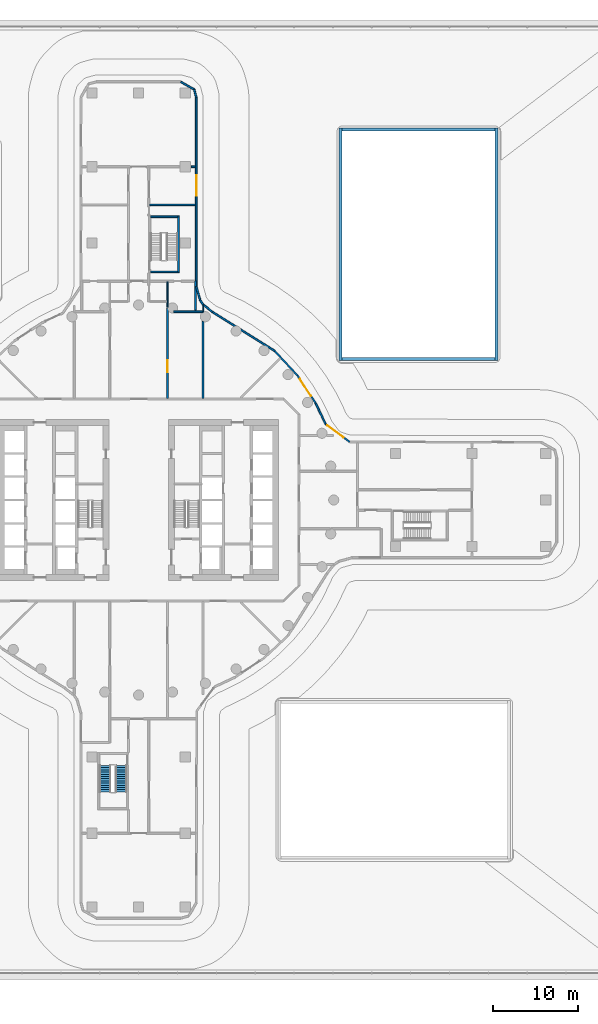
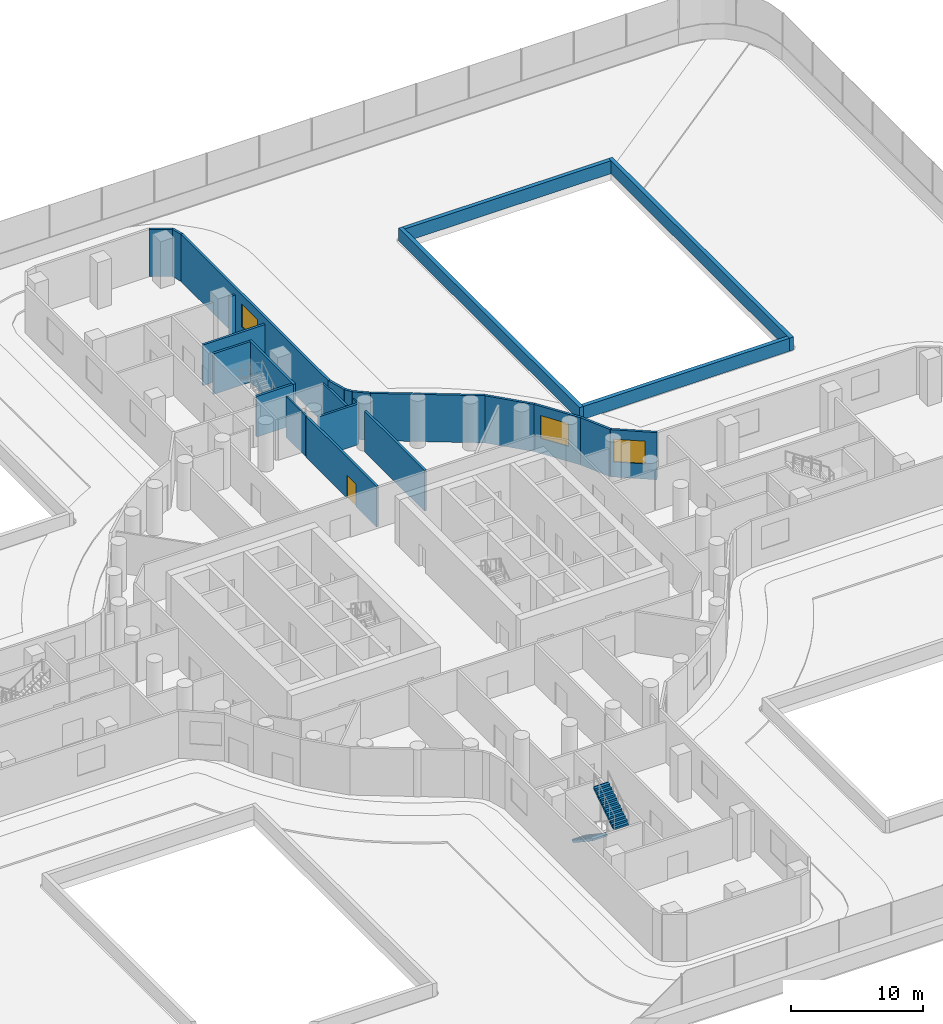
# One storey, part 28 of 37: 26 walls, 3 windows, 2 stair flights, 1 door, 4 openings, 1 element without a shape of its own.
"""IFC4 building model written with IfcOpenShell, lengths in metres."""

from ifc_helpers import new_model, si_unit, direction, frame, frame_2d, origin, place, context, subcontext, project, spatial, polyline, rectangle, outline, extrude, material, layer, layer_set, type_object, element, fill, aggregate, save


model = new_model("IFC4")

# Units and contexts
model_context = context("Model", 3, precision=1e-05, world=origin(), true_north=direction((0.0, 1.0)))
body_context = subcontext(model_context, "Body", "Model", "MODEL_VIEW")
ifc_project = project(units=[si_unit("LENGTHUNIT", "METRE"), si_unit("AREAUNIT", "SQUARE_METRE"), si_unit("VOLUMEUNIT", "CUBIC_METRE"), si_unit("PLANEANGLEUNIT", "RADIAN"), si_unit("MASSUNIT", "GRAM", prefix="KILO")], contexts=[model_context])

# Site, building, storey
site_placement = place(None, origin())
site = spatial("IfcSite", under=ifc_project, at=site_placement, CompositionType="ELEMENT")
building_placement = place(site_placement, origin())
building = spatial("IfcBuilding", under=site, at=building_placement, Name="Tamarind Cross Interchange Tower", CompositionType="ELEMENT")
storey_placement = place(building_placement, frame((0.0, 0.0, 29.5)))
storey = spatial("IfcBuildingStorey", under=building, at=storey_placement, Name="L05", CompositionType="ELEMENT", Elevation=29.5)

# Walls
ifc_material_1 = material(Name="Gypsum board partition on steel studs", Category="steel")
ifc_layer_1 = layer(ifc_material_1, 0.10009765625)
ifc_layer_set_1 = layer_set([ifc_layer_1], Name="Gypsum board partition on steel studs")
wall_type_1 = type_object("IfcWallType", Name="Partition 100 mm EI 90", PredefinedType="PARTITIONING", material=ifc_layer_set_1)
wall_1_placement = place(storey_placement, frame((7.60009765625, 22.151611328125, 0.0), z_axis=(0.0, 0.0, 1.0), x_axis=(0.0, 1.0, 0.0)))
element("IfcWall", 1, at=wall_1_placement, inside=storey, type_object=wall_type_1, Name="Partition L05-075", PredefinedType="PARTITIONING", context=body_context, shape_type="SweptSolid", body=[
    extrude(rectangle(XDim=0.76904296875, YDim=0.10009765625, at=frame_2d((0.384521484375, 0.0))), origin(), (0.0, 0.0, 1.0), 3.760009765625),
])
ifc_layer_2 = layer(ifc_material_1, 0.14990234375)
ifc_layer_set_2 = layer_set([ifc_layer_2], Name="Gypsum board partition on steel studs")
wall_type_2 = type_object("IfcWallType", Name="Partition 150 mm EI 120", PredefinedType="PARTITIONING", material=ifc_layer_set_2)
wall_2_placement = place(storey_placement, frame((3.39990234375, 22.710693359375, 0.0), z_axis=(0.0, 0.0, 1.0), x_axis=(0.0, 1.0, 0.0)))
element("IfcWall", 2, at=wall_2_placement, inside=storey, type_object=wall_type_2, Name="Partition L05-071", PredefinedType="PARTITIONING", context=body_context, shape_type="SweptSolid", body=[
    extrude(rectangle(XDim=3.00439453125, YDim=0.14990234375, at=frame_2d((1.502197265625, 0.0))), origin(), (0.0, 0.0, 1.0), 3.760009765625),
])
ifc_layer_3 = layer(ifc_material_1, 0.199951171875)
ifc_layer_set_3 = layer_set([ifc_layer_3], Name="Gypsum board partition on steel studs")
wall_type_3 = type_object("IfcWallType", Name="Partition 200 mm EI 180", PredefinedType="PARTITIONING", material=ifc_layer_set_3)
wall_3_placement = place(storey_placement, frame((4.126708984375, 22.199951171875, 0.0), z_axis=(0.0, 0.0, 1.0), x_axis=(1.0, 0.0, 0.0)))
element("IfcWall", 3, at=wall_3_placement, inside=storey, type_object=wall_type_3, Name="Partition L05-030", PredefinedType="PARTITIONING", context=body_context, shape_type="SweptSolid", body=[
    extrude(rectangle(XDim=3.443359375, YDim=0.199951171875, at=frame_2d((1.7216796875, 0.0))), origin(), (0.0, 0.0, 1.0), 3.760009765625),
])
wall_4_placement = place(storey_placement, frame((1.284912109375, 34.800048828125, 0.0), z_axis=(0.0, 0.0, 1.0), x_axis=(1.0, 0.0, 0.0)))
element("IfcWall", 4, at=wall_4_placement, inside=storey, type_object=wall_type_3, Name="Partition L05-037", PredefinedType="PARTITIONING", context=body_context, shape_type="SweptSolid", body=[
    extrude(rectangle(XDim=5.4140625, YDim=0.199951171875, at=frame_2d((2.70703125, 0.0))), origin(), (0.0, 0.0, 1.0), 3.760009765625),
])
wall_5_placement = place(storey_placement, frame((6.22998046875, 39.300048828125, 0.0), z_axis=(0.0, 0.0, 1.0), x_axis=(1.0, 0.0, 0.0)))
element("IfcWall", 5, at=wall_5_placement, inside=storey, type_object=wall_type_3, Name="Partition L05-040", PredefinedType="PARTITIONING", context=body_context, shape_type="SweptSolid", body=[
    extrude(rectangle(XDim=0.468994140625, YDim=0.199951171875, at=frame_2d((0.234375, 0.0))), origin(), (0.0, 0.0, 1.0), 3.760009765625),
])

# Wall, opening, door
wall_6_placement = place(storey_placement, frame((3.39990234375, 11.97998046875, 0.0), z_axis=(0.0, 0.0, 1.0), x_axis=(0.0, 1.0, 0.0)))
wall_6 = element("IfcWall", 6, at=wall_6_placement, inside=storey, type_object=wall_type_3, Name="Partition L05-070", PredefinedType="PARTITIONING", context=body_context, shape_type="SweptSolid", body=[
    extrude(rectangle(XDim=10.610595703125, YDim=0.199951171875, at=frame_2d((5.30517578125, 0.0))), origin(), (0.0, 0.0, 1.0), 3.760009765625),
])
opening_1_placement = place(wall_6_placement, frame((3.070068359375, 0.0, 0.0)))
opening_1 = element("IfcOpeningElement", 7, at=opening_1_placement, cuts=wall_6, Name="Opening D33", PredefinedType="OPENING", context=body_context, shape_type="SweptSolid", body=[
    extrude(rectangle(XDim=1.39990234375, YDim=2.10009765625, at=frame_2d((0.699951171875, 1.050048828125))), frame((0.0, 0.10986328125, 0.0), z_axis=(0.0, -1.0, 0.0), x_axis=(1.0, 0.0, 0.0)), (0.0, 0.0, 1.0), 0.219970703125),
])
ifc_material_2 = material(Name="Fire-resisting door set")
door_type = type_object("IfcDoorType", Name="Interior door 1400 x 2100 FD120S", OperationType="DOUBLE_DOOR_SINGLE_SWING", PredefinedType="DOOR", material=ifc_material_2)
door_placement = place(opening_1_placement, frame((1.39990234375, 0.0, 0.0), z_axis=(0.0, 0.0, 1.0), x_axis=(-1.0, 0.0, 0.0)))
door = element("IfcDoor", 8, at=door_placement, inside=storey, type_object=door_type, Name="Door D33", OperationType="DOUBLE_DOOR_SINGLE_SWING", OverallHeight=2.10009765625, OverallWidth=1.39990234375, PredefinedType="DOOR", context=body_context, shape_type="SweptSolid", body=[
    extrude(rectangle(XDim=1.39990234375, YDim=2.10009765625, at=frame_2d((0.699951171875, 1.050048828125))), frame((0.0, 0.02490234375, 0.0), z_axis=(0.0, -1.0, 0.0), x_axis=(1.0, 0.0, 0.0)), (0.0, 0.0, 1.0), 0.050048828125),
])
fill(opening_1, door)

# Walls
wall_7_placement = place(storey_placement, frame((7.60009765625, 11.97998046875, 0.0), z_axis=(0.0, 0.0, 1.0), x_axis=(0.0, 1.0, 0.0)))
element("IfcWall", 9, at=wall_7_placement, inside=storey, type_object=wall_type_3, Name="Partition L05-074", PredefinedType="PARTITIONING", context=body_context, shape_type="SweptSolid", body=[
    extrude(rectangle(XDim=9.09423828125, YDim=0.199951171875, at=frame_2d((4.547119140625, 0.0))), origin(), (0.0, 0.0, 1.0), 3.760009765625),
])
wall_8_placement = place(storey_placement, frame((6.698974609375, 25.800048828125, 0.0), z_axis=(0.0, 0.0, 1.0), x_axis=(0.0, -1.0, 0.0)))
element("IfcWall", 10, at=wall_8_placement, inside=storey, type_object=wall_type_3, Name="Partition L05-083", PredefinedType="PARTITIONING", context=body_context, shape_type="SweptSolid", body=[
    extrude(rectangle(XDim=3.420166015625, YDim=0.199951171875, at=frame_2d((1.7099609375, 0.0))), origin(), (0.0, 0.0, 1.0), 3.760009765625),
])
ifc_material_3 = material(Name="Precast concrete C40", Category="concrete")
ifc_layer_4 = layer(ifc_material_3, 0.35009765625)
ifc_layer_set_4 = layer_set([ifc_layer_4], Name="Precast concrete C40")
wall_type_4 = type_object("IfcWallType", Name="Podium facade wall", PredefinedType="SOLIDWALL", material=ifc_layer_set_4)
for number, where, z_axis, x_axis, name in (
    (11, (24.0, 16.625, 0.0), (0.0, 0.0, 1.0), (1.0, 0.0, 0.0), "CTW-L05-NES00"),
    (12, (24.0, 43.675048828125, 0.0), (0.0, 0.0, 1.0), (1.0, 0.0, 0.0), "CTW-L05-NEN00"),
):
    element("IfcWall", number, at=place(storey_placement, frame(where, z_axis=z_axis, x_axis=x_axis)), inside=storey, type_object=wall_type_4, Name=name, PredefinedType="SOLIDWALL", context=body_context, shape_type="SweptSolid", body=[
        extrude(rectangle(XDim=18.0, YDim=0.35009765625, at=frame_2d((9.0, 0.0))), origin(), (0.0, 0.0, 1.0), 1.199951171875),
    ])
for number, where, z_axis, x_axis, name in (
    (13, (23.824951171875, 16.449951171875, 0.0), (0.0, 0.0, 1.0), (0.0, 1.0, 0.0), "CTW-L05-NEW00"),
    (14, (42.175048828125, 16.449951171875, 0.0), (0.0, 0.0, 1.0), (0.0, 1.0, 0.0), "CTW-L05-NEE00"),
):
    element("IfcWall", number, at=place(storey_placement, frame(where, z_axis=z_axis, x_axis=x_axis)), inside=storey, type_object=wall_type_4, Name=name, PredefinedType="SOLIDWALL", context=body_context, shape_type="SweptSolid", body=[
        extrude(rectangle(XDim=27.400146484375, YDim=0.35009765625, at=frame_2d((13.7001953125, 0.0))), origin(), (0.0, 0.0, 1.0), 1.199951171875),
    ])

# Wall, opening, window
ifc_layer_5 = layer(ifc_material_3, 0.199951171875)
ifc_layer_set_5 = layer_set([ifc_layer_5], Name="Precast concrete C40")
wall_type_5 = type_object("IfcWallType", Name="Refuge level external wall", PredefinedType="SOLIDWALL", material=ifc_layer_set_5)
wall_9_placement = place(storey_placement, frame((24.884765625, 6.844482421875, 0.0), z_axis=(0.0, 0.0, 1.0), x_axis=(-0.804392246617, 0.594098572278, 0.0)))
wall_9 = element("IfcWall", 15, at=wall_9_placement, inside=storey, type_object=wall_type_5, Name="RFW-L05-11-0", PredefinedType="SOLIDWALL", context=body_context, shape_type="SweptSolid", body=[
    extrude(rectangle(XDim=3.54443359375, YDim=0.199951171875, at=frame_2d((1.772216796875, 0.0))), origin(), (0.0, 0.0, 1.0), 4.360107421875),
])
opening_2_placement = place(wall_9_placement, frame((0.89990234375, 0.0, 1.39990234375)))
opening_2 = element("IfcOpeningElement", 16, at=opening_2_placement, cuts=wall_9, Name="Opening W3", PredefinedType="OPENING", context=body_context, shape_type="SweptSolid", body=[
    extrude(rectangle(XDim=2.39990234375, YDim=2.10009765625, at=frame_2d((1.199951171875, 1.050048828125))), frame((0.0, 0.10986328125, 0.0), z_axis=(0.0, -1.0, 0.0), x_axis=(1.0, 0.0, 0.0)), (0.0, 0.0, 1.0), 0.219970703125),
])
ifc_material_4 = material(Name="Aluminium and fire-resisting glass", Category="aluminium")
window_type = type_object("IfcWindowType", Name="Refuge rescue window", PartitioningType="DOUBLE_PANEL_VERTICAL", PredefinedType="WINDOW", material=ifc_material_4)
window_1_placement = place(opening_2_placement, origin())
window_1 = element("IfcWindow", 17, at=window_1_placement, inside=storey, type_object=window_type, Name="RSW-L05-11-01", OverallHeight=2.10009765625, OverallWidth=2.39990234375, PartitioningType="SINGLE_PANEL", PredefinedType="WINDOW", context=body_context, shape_type="SweptSolid", body=[
    extrude(rectangle(XDim=2.39990234375, YDim=2.10009765625, at=frame_2d((1.199951171875, 1.050048828125))), frame((0.0, 0.030029296875, 0.0), z_axis=(0.0, -1.0, 0.0), x_axis=(1.0, 0.0, 0.0)), (0.0, 0.0, 1.0), 0.06005859375),
])
fill(opening_2, window_1)

# Wall
wall_10_placement = place(storey_placement, frame((22.03369140625, 8.9501953125, 0.0), z_axis=(0.0, 0.0, 1.0), x_axis=(-0.424181121769, 0.90557737159, 0.0)))
element("IfcWall", 18, at=wall_10_placement, inside=storey, type_object=wall_type_5, Name="RFW-L05-11-1", PredefinedType="SOLIDWALL", context=body_context, shape_type="SweptSolid", body=[
    extrude(rectangle(XDim=2.722412109375, YDim=0.199951171875, at=frame_2d((1.361328125, 0.0))), origin(), (0.0, 0.0, 1.0), 4.360107421875),
])

# Wall, opening, window
wall_11_placement = place(storey_placement, frame((20.87890625, 11.41552734375, 0.0), z_axis=(0.0, 0.0, 1.0), x_axis=(-0.550579088084, 0.834783006394, 0.0)))
wall_11 = element("IfcWall", 19, at=wall_11_placement, inside=storey, type_object=wall_type_5, Name="RFW-L05-11-2", PredefinedType="SOLIDWALL", context=body_context, shape_type="SweptSolid", body=[
    extrude(rectangle(XDim=3.93017578125, YDim=0.199951171875, at=frame_2d((1.965087890625, 0.0))), origin(), (0.0, 0.0, 1.0), 4.360107421875),
])
opening_3_placement = place(wall_11_placement, frame((1.0, 0.0, 1.39990234375)))
opening_3 = element("IfcOpeningElement", 20, at=opening_3_placement, cuts=wall_11, Name="Opening W3", PredefinedType="OPENING", context=body_context, shape_type="SweptSolid", body=[
    extrude(rectangle(XDim=2.39990234375, YDim=2.10009765625, at=frame_2d((1.199951171875, 1.050048828125))), frame((0.0, 0.10986328125, 0.0), z_axis=(0.0, -1.0, 0.0), x_axis=(1.0, 0.0, 0.0)), (0.0, 0.0, 1.0), 0.219970703125),
])
window_2_placement = place(opening_3_placement, origin())
window_2 = element("IfcWindow", 21, at=window_2_placement, inside=storey, type_object=window_type, Name="RSW-L05-11-21", OverallHeight=2.10009765625, OverallWidth=2.39990234375, PartitioningType="SINGLE_PANEL", PredefinedType="WINDOW", context=body_context, shape_type="SweptSolid", body=[
    extrude(rectangle(XDim=2.39990234375, YDim=2.10009765625, at=frame_2d((1.199951171875, 1.050048828125))), frame((0.0, 0.030029296875, 0.0), z_axis=(0.0, -1.0, 0.0), x_axis=(1.0, 0.0, 0.0)), (0.0, 0.0, 1.0), 0.06005859375),
])
fill(opening_3, window_2)

# Walls
wall_12_placement = place(storey_placement, frame((18.715087890625, 14.6962890625, 0.0), z_axis=(0.0, 0.0, 1.0), x_axis=(-0.680405826691, 0.732835527935, 0.0)))
element("IfcWall", 22, at=wall_12_placement, inside=storey, type_object=wall_type_5, Name="RFW-L05-11-3", PredefinedType="SOLIDWALL", context=body_context, shape_type="SweptSolid", body=[
    extrude(rectangle(XDim=3.93017578125, YDim=0.199951171875, at=frame_2d((1.965087890625, 0.0))), origin(), (0.0, 0.0, 1.0), 4.360107421875),
])
wall_13_placement = place(storey_placement, frame((16.041015625, 17.576416015625, 0.0), z_axis=(0.0, 0.0, 1.0), x_axis=(-0.847351322154, 0.531032707885, 0.0)))
element("IfcWall", 23, at=wall_13_placement, inside=storey, type_object=wall_type_5, Name="RFW-L05-11-4", PredefinedType="SOLIDWALL", context=body_context, shape_type="SweptSolid", body=[
    extrude(rectangle(XDim=8.67919921875, YDim=0.199951171875, at=frame_2d((4.339599609375, 0.0))), origin(), (0.0, 0.0, 1.0), 4.360107421875),
])
wall_14_placement = place(storey_placement, frame((8.686767578125, 22.185302734375, 0.0), z_axis=(0.0, 0.0, 1.0), x_axis=(-0.782754463559, 0.62233065952, 0.0)))
element("IfcWall", 24, at=wall_14_placement, inside=storey, type_object=wall_type_5, Name="RFW-L05-11-5", PredefinedType="SOLIDWALL", context=body_context, shape_type="SweptSolid", body=[
    extrude(rectangle(XDim=1.374267578125, YDim=0.199951171875, at=frame_2d((0.68701171875, 0.0))), origin(), (0.0, 0.0, 1.0), 4.360107421875),
])
wall_15_placement = place(storey_placement, frame((7.611083984375, 23.04052734375, 0.0), z_axis=(0.0, 0.0, 1.0), x_axis=(-0.564082170033, 0.825718659987, 0.0)))
element("IfcWall", 25, at=wall_15_placement, inside=storey, type_object=wall_type_5, Name="RFW-L05-11-6", PredefinedType="SOLIDWALL", context=body_context, shape_type="SweptSolid", body=[
    extrude(rectangle(XDim=0.64013671875, YDim=0.199951171875, at=frame_2d((0.320068359375, 0.0))), origin(), (0.0, 0.0, 1.0), 4.360107421875),
])
wall_16_placement = place(storey_placement, frame((7.25, 23.569091796875, 0.0), z_axis=(0.0, 0.0, 1.0), x_axis=(-0.268802114608, 0.963195423153, 0.0)))
element("IfcWall", 26, at=wall_16_placement, inside=storey, type_object=wall_type_5, Name="RFW-L05-11-7", PredefinedType="SOLIDWALL", context=body_context, shape_type="SweptSolid", body=[
    extrude(rectangle(XDim=1.673828125, YDim=0.199951171875, at=frame_2d((0.8369140625, 0.0))), origin(), (0.0, 0.0, 1.0), 4.360107421875),
])

# Wall, opening, window
wall_17_placement = place(storey_placement, frame((6.800048828125, 25.181396484375, 0.0), z_axis=(0.0, 0.0, 1.0), x_axis=(0.0, 1.0, 0.0)))
wall_17 = element("IfcWall", 27, at=wall_17_placement, inside=storey, type_object=wall_type_5, Name="RFW-L05-12-0", PredefinedType="SOLIDWALL", context=body_context, shape_type="SweptSolid", body=[
    extrude(rectangle(XDim=22.2998046875, YDim=0.199951171875, at=frame_2d((11.14990234375, 0.0))), origin(), (0.0, 0.0, 1.0), 4.360107421875),
])
opening_4_placement = place(wall_17_placement, frame((10.699951171875, 0.0, 1.39990234375)))
opening_4 = element("IfcOpeningElement", 28, at=opening_4_placement, cuts=wall_17, Name="Opening W3", PredefinedType="OPENING", context=body_context, shape_type="SweptSolid", body=[
    extrude(rectangle(XDim=2.39990234375, YDim=2.10009765625, at=frame_2d((1.199951171875, 1.050048828125))), frame((0.0, 0.10986328125, 0.0), z_axis=(0.0, -1.0, 0.0), x_axis=(1.0, 0.0, 0.0)), (0.0, 0.0, 1.0), 0.219970703125),
])
window_3_placement = place(opening_4_placement, origin())
window_3 = element("IfcWindow", 29, at=window_3_placement, inside=storey, type_object=window_type, Name="RSW-L05-12-01", OverallHeight=2.10009765625, OverallWidth=2.39990234375, PartitioningType="SINGLE_PANEL", PredefinedType="WINDOW", context=body_context, shape_type="SweptSolid", body=[
    extrude(rectangle(XDim=2.39990234375, YDim=2.10009765625, at=frame_2d((1.199951171875, 1.050048828125))), frame((0.0, 0.030029296875, 0.0), z_axis=(0.0, -1.0, 0.0), x_axis=(1.0, 0.0, 0.0)), (0.0, 0.0, 1.0), 0.06005859375),
])
fill(opening_4, window_3)

# Walls
wall_18_placement = place(storey_placement, frame((6.800048828125, 47.481201171875, 0.0), z_axis=(0.0, 0.0, 1.0), x_axis=(-0.258855296676, 0.96591611198, 0.0)))
element("IfcWall", 30, at=wall_18_placement, inside=storey, type_object=wall_type_5, Name="RFW-L05-12-1", PredefinedType="SOLIDWALL", context=body_context, shape_type="SweptSolid", body=[
    extrude(rectangle(XDim=0.955322265625, YDim=0.199951171875, at=frame_2d((0.4775390625, 0.0))), origin(), (0.0, 0.0, 1.0), 4.360107421875),
])
wall_19_placement = place(storey_placement, frame((6.552734375, 48.404052734375, 0.0), z_axis=(0.0, 0.0, 1.0), x_axis=(-0.867953965836, 0.496644654848, 0.0)))
element("IfcWall", 31, at=wall_19_placement, inside=storey, type_object=wall_type_5, Name="RFW-L05-12-2", PredefinedType="SOLIDWALL", context=body_context, shape_type="SweptSolid", body=[
    extrude(rectangle(XDim=1.8193359375, YDim=0.199951171875, at=frame_2d((0.90966796875, 0.0))), origin(), (0.0, 0.0, 1.0), 4.360107421875),
])
ifc_material_5 = material(Name="Concrete C40", Category="concrete")
ifc_layer_6 = layer(ifc_material_5, 0.199951171875)
ifc_layer_set_6 = layer_set([ifc_layer_6], Name="Concrete C40")
wall_type_6 = type_object("IfcWallType", Name="Stair shaft wall 200 mm Concrete C40", PredefinedType="SHEAR", material=ifc_layer_set_6)
wall_20_placement = place(storey_placement, frame((4.699951171875, 26.800048828125, 0.0), z_axis=(0.0, 0.0, 1.0), x_axis=(0.0, 1.0, 0.0)))
element("IfcWall", 32, at=wall_20_placement, inside=storey, type_object=wall_type_6, Name="Core wall CWL-L05-ST4-C", PredefinedType="SHEAR", context=body_context, shape_type="SweptSolid", body=[
    extrude(rectangle(XDim=6.699951171875, YDim=0.199951171875, at=frame_2d((3.35009765625, 0.0))), origin(), (0.0, 0.0, 1.0), 3.760009765625),
])
wall_21_placement = place(storey_placement, frame((4.60009765625, 26.89990234375, 0.0), z_axis=(0.0, 0.0, 1.0), x_axis=(-1.0, 0.0, 0.0)))
element("IfcWall", 33, at=wall_21_placement, inside=storey, type_object=wall_type_6, Name="Core wall CWL-L05-ST4-CE", PredefinedType="SHEAR", context=body_context, shape_type="SweptSolid", body=[
    extrude(rectangle(XDim=3.2001953125, YDim=0.199951171875, at=frame_2d((1.60009765625, 0.0))), origin(), (0.0, 0.0, 1.0), 3.760009765625),
])
wall_22_placement = place(storey_placement, origin())
element("IfcWall", 34, at=wall_22_placement, inside=storey, type_object=wall_type_6, Name="Core wall CWL-L05-ST4-CF", PredefinedType="SHEAR", context=body_context, shape_type="SweptSolid", body=[
    extrude(outline(polyline([(4.60009765625, 33.300048828125), (4.60009765625, 33.5), (1.39990234375, 33.5), (1.39990234375, 33.300048828125), (4.60009765625, 33.300048828125)])), origin(), (0.0, 0.0, 1.0), 3.760009765625),
])

# Stair, stair flights
ifc_material_6 = material(Name="Exit stair")
stair_type = type_object("IfcStairType", Name="Exit stair", PredefinedType="HALF_TURN_STAIR", material=ifc_material_6)
stair_placement = place(storey_placement, origin())
stair = element("IfcStair", 35, at=stair_placement, inside=storey, type_object=stair_type, Name="L05 exit stair ST6", PredefinedType="HALF_TURN_STAIR")
ifc_material_7 = material(Name="Exit stair flight")
stair_flight_type = type_object("IfcStairFlightType", Name="Exit stair flight", PredefinedType="STRAIGHT", material=ifc_material_7)
stair_flight_1_placement = place(storey_placement, frame((-3.949951171875, -31.300048828125, 0.0), z_axis=(0.0, 0.0, 1.0), x_axis=(0.0, -1.0, 0.0)))
stair_flight_1 = element("IfcStairFlight", 36, at=stair_flight_1_placement, type_object=stair_flight_type, Name="ST6 flight 1", NumberOfRisers=13, NumberOfTreads=12, PredefinedType="STRAIGHT", RiserHeight=0.173076923, TreadLength=0.26, context=body_context, shape_type="SweptSolid", body=[
    extrude(outline(polyline([(0.0, 0.0), (0.0, 0.173095703125), (0.260009765625, 0.173095703125), (0.260009765625, 0.34619140625), (0.52001953125, 0.34619140625), (0.52001953125, 0.519287109375), (0.780029296875, 0.519287109375), (0.780029296875, 0.6923828125), (1.0400390625, 0.6923828125), (1.0400390625, 0.865478515625), (1.300048828125, 0.865478515625), (1.300048828125, 1.03857421875), (1.56005859375, 1.03857421875), (1.56005859375, 1.21142578125), (1.820068359375, 1.21142578125), (1.820068359375, 1.384521484375), (2.080078125, 1.384521484375), (2.080078125, 1.5576171875), (2.340087890625, 1.5576171875), (2.340087890625, 1.730712890625), (2.60009765625, 1.730712890625), (2.60009765625, 1.90380859375), (2.860107421875, 1.90380859375), (2.860107421875, 2.076904296875), (3.1201171875, 2.076904296875), (3.1201171875, 2.25), (3.1201171875, 1.896728515625), (0.2705078125, 0.0), (0.0, 0.0)])), frame((0.0, 0.64990234375, 0.0), z_axis=(0.0, -1.0, 0.0), x_axis=(1.0, 0.0, 0.0)), (0.0, 0.0, 1.0), 1.300048828125),
])
stair_flight_2_placement = place(storey_placement, frame((-2.050048828125, -34.419921875, 2.25), z_axis=(0.0, 0.0, 1.0), x_axis=(0.0, 1.0, 0.0)))
stair_flight_2 = element("IfcStairFlight", 37, at=stair_flight_2_placement, type_object=stair_flight_type, Name="ST6 flight 2", NumberOfRisers=13, NumberOfTreads=12, PredefinedType="STRAIGHT", RiserHeight=0.173076923, TreadLength=0.26, context=body_context, shape_type="SweptSolid", body=[
    extrude(outline(polyline([(0.0, 0.0), (0.0, 0.173095703125), (0.260009765625, 0.173095703125), (0.260009765625, 0.34619140625), (0.52001953125, 0.34619140625), (0.52001953125, 0.519287109375), (0.780029296875, 0.519287109375), (0.780029296875, 0.6923828125), (1.0400390625, 0.6923828125), (1.0400390625, 0.865478515625), (1.300048828125, 0.865478515625), (1.300048828125, 1.03857421875), (1.56005859375, 1.03857421875), (1.56005859375, 1.21142578125), (1.820068359375, 1.21142578125), (1.820068359375, 1.384521484375), (2.080078125, 1.384521484375), (2.080078125, 1.5576171875), (2.340087890625, 1.5576171875), (2.340087890625, 1.730712890625), (2.60009765625, 1.730712890625), (2.60009765625, 1.90380859375), (2.860107421875, 1.90380859375), (2.860107421875, 2.076904296875), (3.1201171875, 2.076904296875), (3.1201171875, 2.1298828125), (3.132080078125, 2.1298828125), (3.132080078125, 1.90478515625), (0.2705078125, 0.0), (0.0, 0.0)])), frame((0.0, 0.64990234375, 0.0), z_axis=(0.0, -1.0, 0.0), x_axis=(1.0, 0.0, 0.0)), (0.0, 0.0, 1.0), 1.300048828125),
])
aggregate(stair, [stair_flight_1, stair_flight_2])

save(model, "model.ifc")
